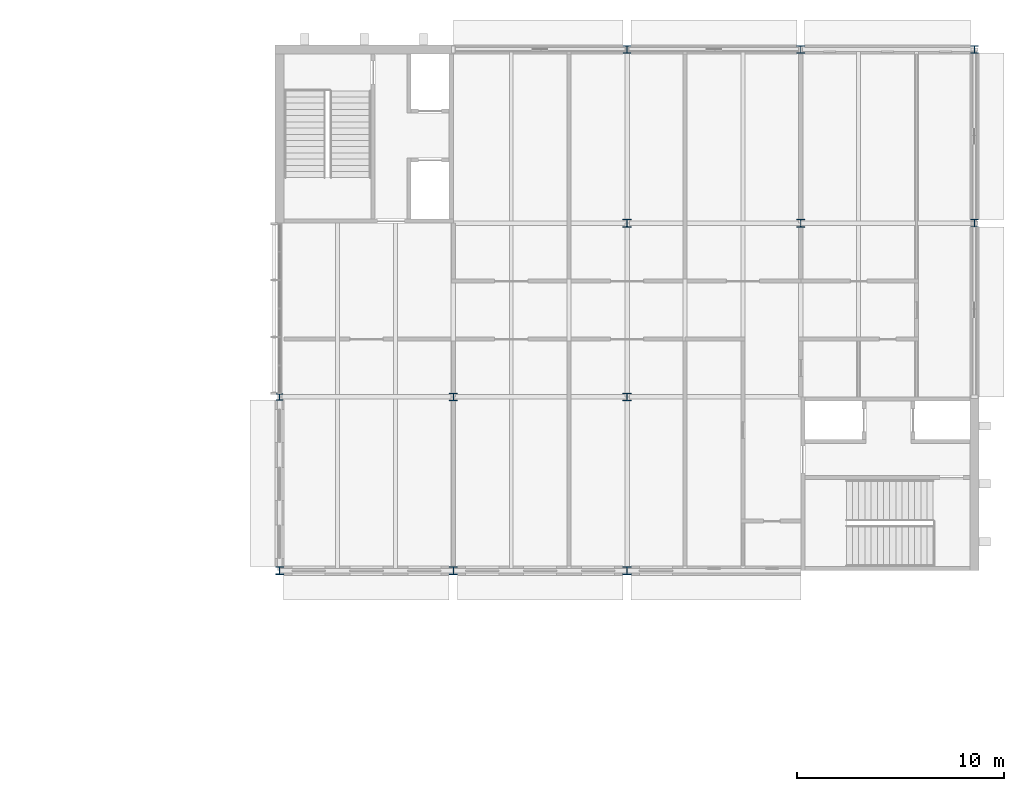
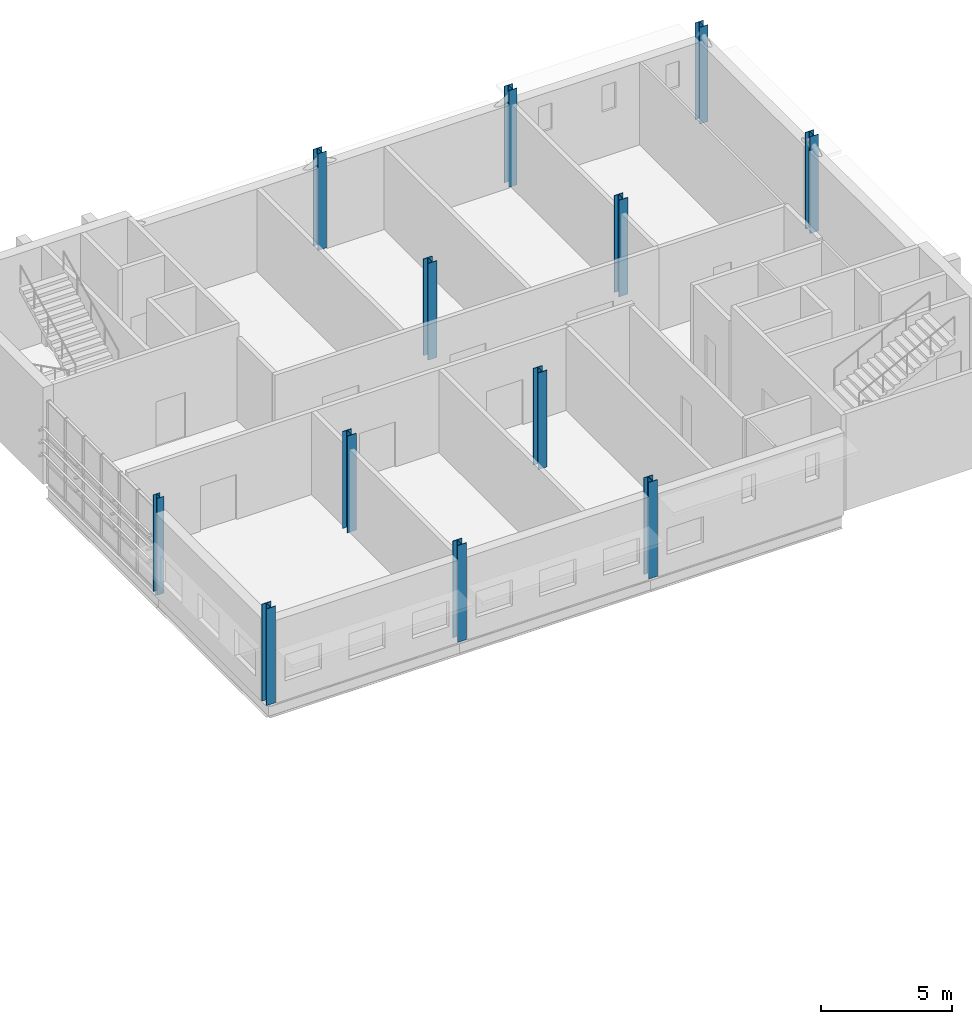
# One storey, part 1 of 42: 12 columns.
"""IFC4 building model written with IfcOpenShell, lengths in metres."""

from ifc_helpers import new_model, si_unit, direction, frame, origin, origin_2d, place, context, subcontext, project, spatial, i_section, extrude, material, material_profile, profile_set, type_object, element, save


model = new_model("IFC4")

# Units and contexts
model_context = context("Model", 3, precision=1e-05, world=origin(), true_north=direction((0.0, 1.0)))
body_context = subcontext(model_context, "Body", "Model", "MODEL_VIEW")
ifc_project = project(units=[si_unit("LENGTHUNIT", "METRE"), si_unit("AREAUNIT", "SQUARE_METRE"), si_unit("VOLUMEUNIT", "CUBIC_METRE"), si_unit("PLANEANGLEUNIT", "RADIAN"), si_unit("MASSUNIT", "GRAM", prefix="KILO")], contexts=[model_context])

# Site, building, storey
site_placement = place(None, origin())
site = spatial("IfcSite", under=ifc_project, at=site_placement, CompositionType="ELEMENT")
building_placement = place(site_placement, origin())
building = spatial("IfcBuilding", under=site, at=building_placement, Name="Ardhachandra Cancer Care Centre", CompositionType="ELEMENT")
storey_placement = place(building_placement, frame((0.0, 0.0, 22.5)))
storey = spatial("IfcBuildingStorey", under=building, at=storey_placement, Name="L05", CompositionType="ELEMENT", Elevation=22.5)

# Columns
ifc_material_1 = material(Name="Steel E350 (IS 2062)", Category="steel")
ifc_material_profile_1 = material_profile(ifc_material_1, i_section(OverallWidth=0.300048828125, OverallDepth=0.300048828125, WebThickness=0.010986328125, FlangeThickness=0.01904296875, FilletRadius=0.027099609375, at=origin_2d()), Name="WPB 300x300x117.03")
ifc_profile_set_1 = profile_set([ifc_material_profile_1], Name="Steel E350 (IS 2062)")
column_type_1 = type_object("IfcColumnType", Name="Column WPB 300x300x117.03", PredefinedType="COLUMN", material=ifc_profile_set_1)
column_placement = place(storey_placement, frame((111.60009765625, 88.199951171875, 0.0), z_axis=(0.0, 0.0, 1.0), x_axis=(1.0, 0.0, 0.0)))
element("IfcColumn", 1, at=column_placement, inside=storey, type_object=column_type_1, Name="Column K13 L05", PredefinedType="COLUMN", context=body_context, shape_type="SweptSolid", body=[
    extrude(i_section(OverallWidth=0.300048828125, OverallDepth=0.300048828125, WebThickness=0.010986328125, FlangeThickness=0.01904296875, FilletRadius=0.027099609375, at=origin_2d()), origin(), (0.0, 0.0, 1.0), 4.5),
])
ifc_material_2 = material(Name="Steel E350 (IS 2062)", Category="steel")
ifc_material_profile_2 = material_profile(ifc_material_2, i_section(OverallWidth=0.37109375, OverallDepth=0.364013671875, WebThickness=0.01318359375, FlangeThickness=0.021728515625, FilletRadius=0.027099609375, at=origin_2d()), Name="WPB 360x370x165.34")
ifc_profile_set_2 = profile_set([ifc_material_profile_2], Name="Steel E350 (IS 2062)")
column_type_2 = type_object("IfcColumnType", Name="Column WPB 360x370x165.34", PredefinedType="COLUMN", material=ifc_profile_set_2)
for number, where, z_axis, x_axis, name in (
    (2, (145.199951171875, 96.60009765625, 0.0), (0.0, 0.0, 1.0), (1.0, 0.0, 0.0), "Column L17 L05"),
    (3, (128.39990234375, 105.0, 0.0), (0.0, 0.0, 1.0), (1.0, 0.0, 0.0), "Column M15 L05"),
    (4, (136.800048828125, 105.0, 0.0), (0.0, 0.0, 1.0), (1.0, 0.0, 0.0), "Column M16 L05"),
    (5, (145.199951171875, 105.0, 0.0), (0.0, 0.0, 1.0), (1.0, 0.0, 0.0), "Column M17 L05"),
):
    element("IfcColumn", number, at=place(storey_placement, frame(where, z_axis=z_axis, x_axis=x_axis)), inside=storey, type_object=column_type_2, Name=name, PredefinedType="COLUMN", context=body_context, shape_type="SweptSolid", body=[
        extrude(i_section(OverallWidth=0.37109375, OverallDepth=0.364013671875, WebThickness=0.01318359375, FlangeThickness=0.021728515625, FilletRadius=0.027099609375, at=origin_2d()), origin(), (0.0, 0.0, 1.0), 4.5),
    ])
ifc_material_3 = material(Name="Steel E350 (IS 2062)", Category="steel")
ifc_material_profile_3 = material_profile(ifc_material_3, i_section(OverallWidth=0.39501953125, OverallDepth=0.3798828125, WebThickness=0.018798828125, FlangeThickness=0.0302734375, FilletRadius=0.027099609375, at=origin_2d()), Name="WPB 400x400x239.62")
ifc_profile_set_3 = profile_set([ifc_material_profile_3], Name="Steel E350 (IS 2062)")
column_type_3 = type_object("IfcColumnType", Name="Column WPB 400x400x239.62", PredefinedType="COLUMN", material=ifc_profile_set_3)
for number, where, z_axis, x_axis, name in (
    (6, (111.60009765625, 79.800048828125, 0.0), (0.0, 0.0, 1.0), (1.0, 0.0, 0.0), "Column J13 L05"),
    (7, (120.0, 79.800048828125, 0.0), (0.0, 0.0, 1.0), (1.0, 0.0, 0.0), "Column J14 L05"),
    (8, (128.39990234375, 79.800048828125, 0.0), (0.0, 0.0, 1.0), (1.0, 0.0, 0.0), "Column J15 L05"),
    (9, (120.0, 88.199951171875, 0.0), (0.0, 0.0, 1.0), (1.0, 0.0, 0.0), "Column K14 L05"),
    (10, (128.39990234375, 88.199951171875, 0.0), (0.0, 0.0, 1.0), (1.0, 0.0, 0.0), "Column K15 L05"),
    (11, (128.39990234375, 96.60009765625, 0.0), (0.0, 0.0, 1.0), (1.0, 0.0, 0.0), "Column L15 L05"),
    (12, (136.800048828125, 96.60009765625, 0.0), (0.0, 0.0, 1.0), (1.0, 0.0, 0.0), "Column L16 L05"),
):
    element("IfcColumn", number, at=place(storey_placement, frame(where, z_axis=z_axis, x_axis=x_axis)), inside=storey, type_object=column_type_3, Name=name, PredefinedType="COLUMN", context=body_context, shape_type="SweptSolid", body=[
        extrude(i_section(OverallWidth=0.39501953125, OverallDepth=0.3798828125, WebThickness=0.018798828125, FlangeThickness=0.0302734375, FilletRadius=0.027099609375, at=origin_2d()), origin(), (0.0, 0.0, 1.0), 4.5),
    ])

save(model, "model.ifc")
